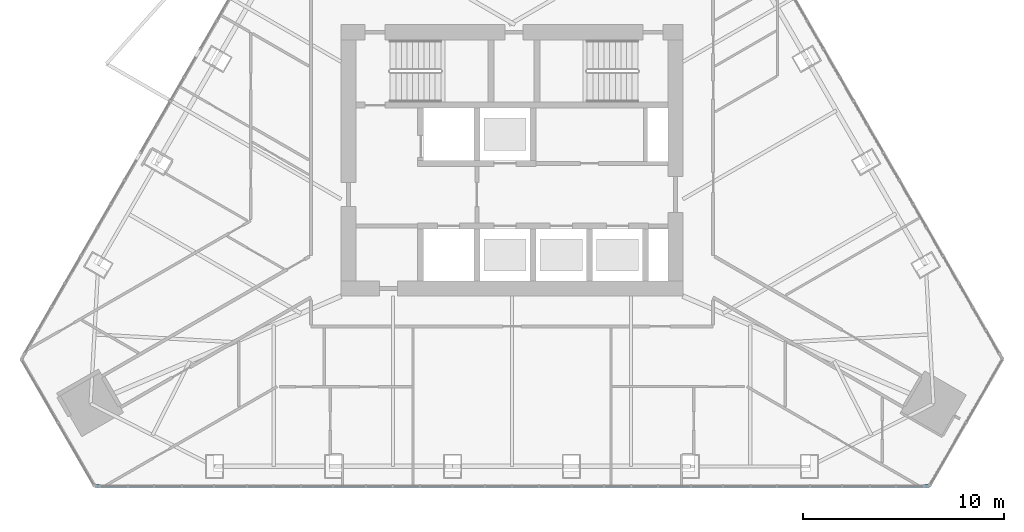
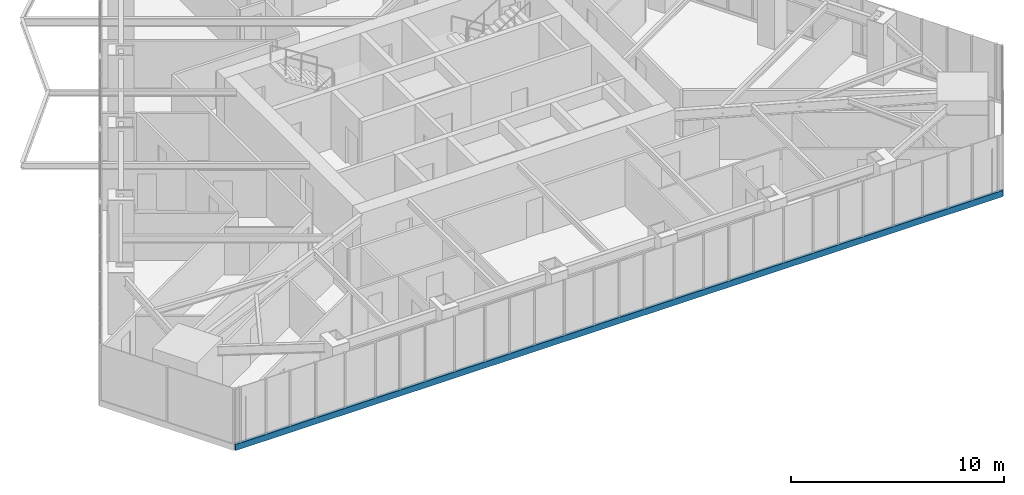
# One storey, part 3 of 19: 1 member, 1 element without a shape of its own.
"""IFC4 building model written with IfcOpenShell, lengths in metres."""

from ifc_helpers import new_model, si_unit, direction, frame, origin, origin_2d, place, context, subcontext, project, spatial, rectangle, extrude, material, layer, layer_set, material_profile, profile_set, type_object, element, aggregate, save


model = new_model("IFC4")

# Units and contexts
model_context = context("Model", 3, precision=1e-05, world=origin(), true_north=direction((0.0, 1.0)))
body_context = subcontext(model_context, "Body", "Model", "MODEL_VIEW")
ifc_project = project(units=[si_unit("LENGTHUNIT", "METRE"), si_unit("AREAUNIT", "SQUARE_METRE"), si_unit("VOLUMEUNIT", "CUBIC_METRE"), si_unit("PLANEANGLEUNIT", "RADIAN"), si_unit("MASSUNIT", "GRAM", prefix="KILO")], contexts=[model_context])

# Site, building, storey
site_placement = place(None, origin())
site = spatial("IfcSite", under=ifc_project, at=site_placement, CompositionType="ELEMENT")
building_placement = place(site_placement, origin())
building = spatial("IfcBuilding", under=site, at=building_placement, Name="Firuza Gate Tower and Library", CompositionType="ELEMENT")
storey_placement = place(building_placement, frame((0.0, 0.0, 316.10009765625)))
storey = spatial("IfcBuildingStorey", under=building, at=storey_placement, Name="L77", CompositionType="ELEMENT", Elevation=316.10009765625)

# Curtain wall, member
ifc_material_1 = material(Name="Aluminium 6063-T6", Category="aluminium")
ifc_layer = layer(ifc_material_1, 0.14990234375)
ifc_layer_set = layer_set([ifc_layer], Name="Unitised curtain wall, residences")
curtain_wall_type = type_object("IfcCurtainWallType", Name="Unitised curtain wall, residences", PredefinedType="NOTDEFINED", material=ifc_layer_set)
curtain_wall_placement = place(storey_placement, origin())
curtain_wall = element("IfcCurtainWall", 1, at=curtain_wall_placement, inside=storey, type_object=curtain_wall_type, Name="CW3 L77 S face", PredefinedType="NOTDEFINED")
ifc_material_2 = material(Name="Aluminium 6063-T6", Category="aluminium")
ifc_material_profile = material_profile(ifc_material_2, rectangle(XDim=0.14990234375, YDim=0.35009765625, at=origin_2d()))
ifc_profile_set = profile_set([ifc_material_profile], Name="Aluminium 6063-T6")
member_type = type_object("IfcMemberType", Name="Curtain wall transom 350x150", PredefinedType="USERDEFINED", material=ifc_profile_set)
member_placement = place(storey_placement, frame((54.23681640625, 58.805419921875, -0.025146484375), z_axis=(1.0, 0.0, 0.0), x_axis=(0.0, 1.0, 0.0)))
member = element("IfcMember", 2, at=member_placement, type_object=member_type, Name="Transom", ObjectType="TRANSOM", PredefinedType="USERDEFINED", context=body_context, shape_type="SweptSolid", body=[
    extrude(rectangle(XDim=0.14990234375, YDim=0.35009765625, at=origin_2d()), origin(), (0.0, 0.0, 1.0), 41.5263671875),
])
aggregate(curtain_wall, [member])

save(model, "model.ifc")
